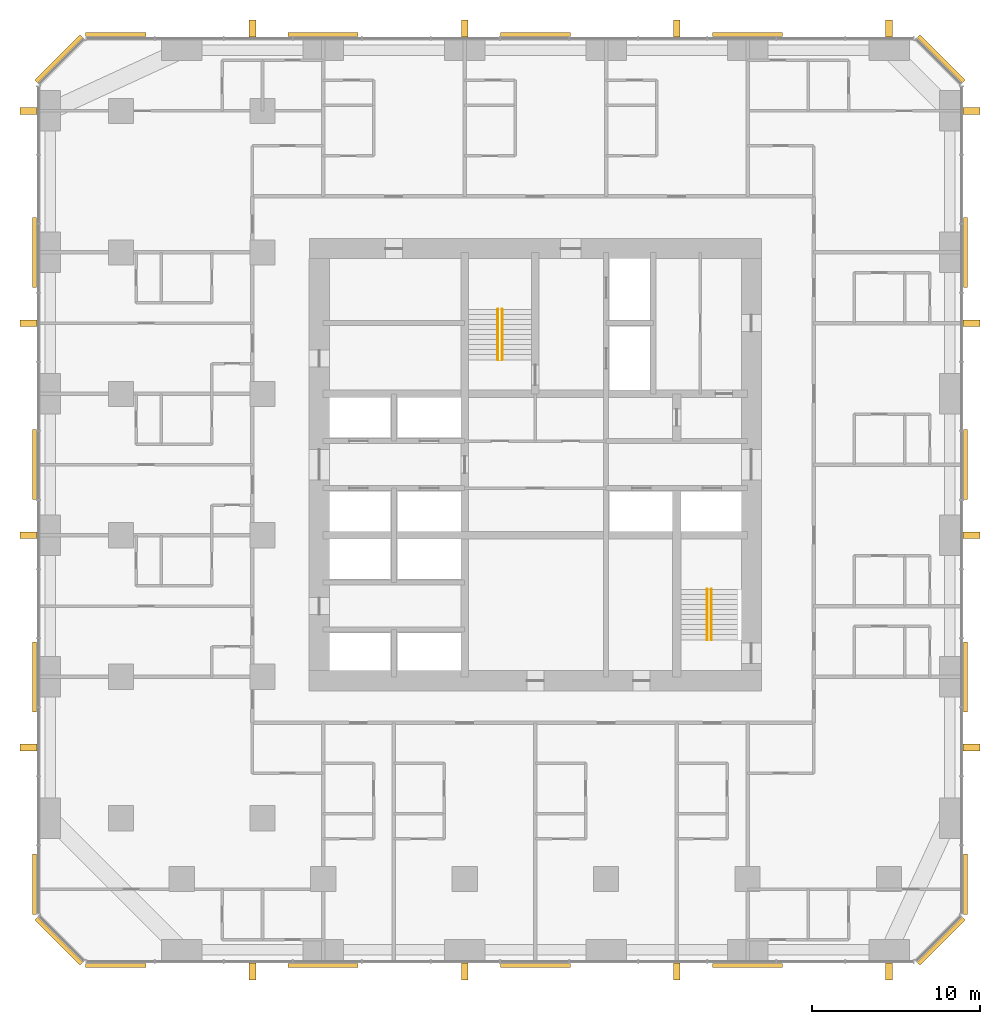
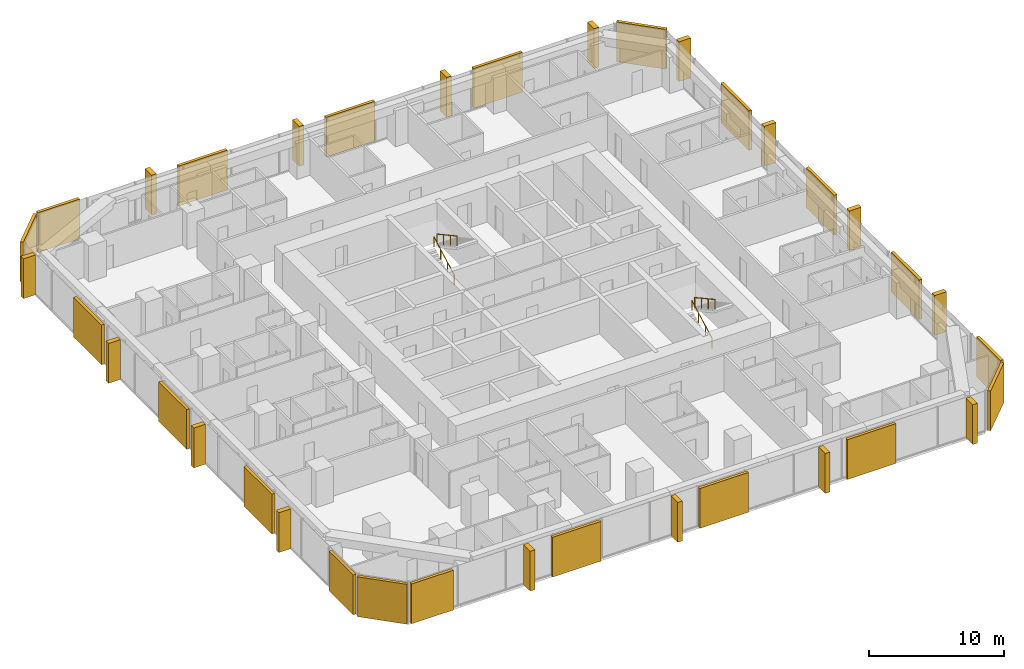
# One storey, part 14 of 14: 20 coverings, 16 shading devices, 4 railings.
"""IFC4 building model written with IfcOpenShell, lengths in metres."""

from ifc_helpers import new_model, si_unit, direction, frame, origin, origin_2d, place, context, subcontext, project, spatial, rectangle, circle, extrude, material, layer, layer_set, type_object, element, save


model = new_model("IFC4")

# Units and contexts
model_context = context("Model", 3, precision=1e-05, world=origin(), true_north=direction((0.0, 1.0)))
body_context = subcontext(model_context, "Body", "Model", "MODEL_VIEW")
ifc_project = project(units=[si_unit("LENGTHUNIT", "METRE"), si_unit("AREAUNIT", "SQUARE_METRE"), si_unit("VOLUMEUNIT", "CUBIC_METRE"), si_unit("PLANEANGLEUNIT", "RADIAN"), si_unit("MASSUNIT", "GRAM", prefix="KILO")], contexts=[model_context])

# Site, building, storey
site_placement = place(None, origin())
site = spatial("IfcSite", under=ifc_project, at=site_placement, CompositionType="ELEMENT")
building_placement = place(site_placement, origin())
building = spatial("IfcBuilding", under=site, at=building_placement, Name="Dunama Terrace Hotel", CompositionType="ELEMENT")
storey_placement = place(building_placement, frame((0.0, 0.0, 100.800048828125)))
storey = spatial("IfcBuildingStorey", under=building, at=storey_placement, Name="L25", CompositionType="ELEMENT", Elevation=100.800048828125)

# Railings
ifc_material_1 = material(Name="Stainless steel handrail", Category="steel")
railing_type = type_object("IfcRailingType", Name="Stair handrail 900", PredefinedType="HANDRAIL", material=ifc_material_1)
railing_1_placement = place(storey_placement, frame((27.175048828125, 35.625, 0.16357421875)))
element("IfcRailing", 1, at=railing_1_placement, inside=storey, type_object=railing_type, Name="Handrail ST1 L25", PredefinedType="HANDRAIL", context=body_context, shape_type="SweptSolid", body=[
    extrude(circle(Radius=0.02392578125, at=origin_2d()), frame((0.0, 0.0, 0.8759765625), z_axis=(0.0, 0.877881921179, 0.478877158013), x_axis=(-1.0, 0.0, 0.0)), (0.0, 0.0, 1.0), 3.417236328125),
    extrude(circle(Radius=0.02099609375, at=origin_2d()), origin(), (0.0, 0.0, 1.0), 0.851806640625),
    extrude(circle(Radius=0.02099609375, at=origin_2d()), frame((0.0, 1.0, 0.54541015625)), (0.0, 0.0, 1.0), 0.851806640625),
    extrude(circle(Radius=0.02099609375, at=origin_2d()), frame((0.0, 2.0, 1.091064453125)), (0.0, 0.0, 1.0), 0.851806640625),
    extrude(circle(Radius=0.02099609375, at=origin_2d()), frame((0.0, 3.0, 1.636474609375)), (0.0, 0.0, 1.0), 0.851806640625),
])
railing_2_placement = place(storey_placement, frame((27.425048828125, 38.625, 1.963623046875)))
element("IfcRailing", 2, at=railing_2_placement, inside=storey, type_object=railing_type, Name="Handrail ST1 L25", PredefinedType="HANDRAIL", context=body_context, shape_type="SweptSolid", body=[
    extrude(circle(Radius=0.02392578125, at=origin_2d()), frame((0.0, 0.0, 0.8759765625), z_axis=(0.0, -0.877911954615, 0.47882209634), x_axis=(1.0, 0.0, 0.0)), (0.0, 0.0, 1.0), 3.417236328125),
    extrude(circle(Radius=0.02099609375, at=origin_2d()), origin(), (0.0, 0.0, 1.0), 0.851806640625),
    extrude(circle(Radius=0.02099609375, at=origin_2d()), frame((0.0, -1.0, 0.54541015625)), (0.0, 0.0, 1.0), 0.851806640625),
    extrude(circle(Radius=0.02099609375, at=origin_2d()), frame((0.0, -2.0, 1.0908203125)), (0.0, 0.0, 1.0), 0.851806640625),
    extrude(circle(Radius=0.02099609375, at=origin_2d()), frame((0.0, -3.0, 1.63623046875)), (0.0, 0.0, 1.0), 0.851806640625),
])
railing_3_placement = place(storey_placement, frame((39.60009765625, 19.0, 0.16357421875)))
element("IfcRailing", 3, at=railing_3_placement, inside=storey, type_object=railing_type, Name="Handrail ST2 L25", PredefinedType="HANDRAIL", context=body_context, shape_type="SweptSolid", body=[
    extrude(circle(Radius=0.02392578125, at=origin_2d()), frame((0.0, 0.0, 0.8759765625), z_axis=(0.0, 0.877881921179, 0.478877158013), x_axis=(-1.0, 0.0, 0.0)), (0.0, 0.0, 1.0), 3.417236328125),
    extrude(circle(Radius=0.02099609375, at=origin_2d()), origin(), (0.0, 0.0, 1.0), 0.851806640625),
    extrude(circle(Radius=0.02099609375, at=origin_2d()), frame((0.0, 1.0, 0.54541015625)), (0.0, 0.0, 1.0), 0.851806640625),
    extrude(circle(Radius=0.02099609375, at=origin_2d()), frame((0.0, 2.0, 1.091064453125)), (0.0, 0.0, 1.0), 0.851806640625),
    extrude(circle(Radius=0.02099609375, at=origin_2d()), frame((0.0, 3.0, 1.636474609375)), (0.0, 0.0, 1.0), 0.851806640625),
])
railing_4_placement = place(storey_placement, frame((39.85009765625, 22.0, 1.963623046875)))
element("IfcRailing", 4, at=railing_4_placement, inside=storey, type_object=railing_type, Name="Handrail ST2 L25", PredefinedType="HANDRAIL", context=body_context, shape_type="SweptSolid", body=[
    extrude(circle(Radius=0.02392578125, at=origin_2d()), frame((0.0, 0.0, 0.8759765625), z_axis=(0.0, -0.877911954615, 0.47882209634), x_axis=(1.0, 0.0, 0.0)), (0.0, 0.0, 1.0), 3.417236328125),
    extrude(circle(Radius=0.02099609375, at=origin_2d()), origin(), (0.0, 0.0, 1.0), 0.851806640625),
    extrude(circle(Radius=0.02099609375, at=origin_2d()), frame((0.0, -1.0, 0.54541015625)), (0.0, 0.0, 1.0), 0.851806640625),
    extrude(circle(Radius=0.02099609375, at=origin_2d()), frame((0.0, -2.0, 1.0908203125)), (0.0, 0.0, 1.0), 0.851806640625),
    extrude(circle(Radius=0.02099609375, at=origin_2d()), frame((0.0, -3.0, 1.63623046875)), (0.0, 0.0, 1.0), 0.851806640625),
])

# Coverings
ifc_material_2 = material(Name="Warm reconstituted stone panel", Category="masonry")
ifc_layer_1 = layer(ifc_material_2, 0.25)
ifc_layer_set_1 = layer_set([ifc_layer_1], Name="Stone diagonal panel")
covering_type = type_object("IfcCoveringType", Name="Stone diagonal panel", PredefinedType="CLADDING", material=ifc_layer_set_1)
covering_1_placement = place(storey_placement, frame((4.489990234375, -0.343017578125, 0.001953125), z_axis=(0.0, 0.0, 1.0), x_axis=(1.0, 0.0, 0.0)))
element("IfcCovering", 5, at=covering_1_placement, inside=storey, type_object=covering_type, Name="Stone diagonal panel L25", PredefinedType="CLADDING", context=body_context, shape_type="SweptSolid", body=[
    extrude(rectangle(XDim=3.570068359375, YDim=0.25, at=origin_2d()), origin(), (0.0, 0.0, 1.0), 3.595947265625),
])
for number, where, z_axis, x_axis, name in (
    (6, (16.800048828125, -0.343017578125, 0.001953125), (0.0, 0.0, 1.0), (1.0, 0.0, 0.0), "Stone diagonal panel L25"),
    (7, (29.39990234375, -0.343017578125, 0.001953125), (0.0, 0.0, 1.0), (1.0, 0.0, 0.0), "Stone diagonal panel L25"),
    (8, (42.0, -0.343017578125, 0.001953125), (0.0, 0.0, 1.0), (1.0, 0.0, 0.0), "Stone diagonal panel L25"),
):
    element("IfcCovering", number, at=place(storey_placement, frame(where, z_axis=z_axis, x_axis=x_axis)), inside=storey, type_object=covering_type, Name=name, PredefinedType="CLADDING", context=body_context, shape_type="SweptSolid", body=[
        extrude(rectangle(XDim=4.14990234375, YDim=0.25, at=origin_2d()), origin(), (0.0, 0.0, 1.0), 3.595947265625),
    ])
covering_2_placement = place(storey_placement, frame((53.492919921875, 1.10693359375, 0.001953125), z_axis=(0.0, 0.0, 1.0), x_axis=(0.707106781187, 0.707106781187, 0.0)))
element("IfcCovering", 9, at=covering_2_placement, inside=storey, type_object=covering_type, Name="Stone diagonal panel L25", PredefinedType="CLADDING", context=body_context, shape_type="SweptSolid", body=[
    extrude(rectangle(XDim=3.808349609375, YDim=0.25, at=origin_2d()), origin(), (0.0, 0.0, 1.0), 3.595947265625),
])
covering_3_placement = place(storey_placement, frame((54.943115234375, 4.489990234375, 0.001953125), z_axis=(0.0, 0.0, 1.0), x_axis=(0.0, 1.0, 0.0)))
element("IfcCovering", 10, at=covering_3_placement, inside=storey, type_object=covering_type, Name="Stone diagonal panel L25", PredefinedType="CLADDING", context=body_context, shape_type="SweptSolid", body=[
    extrude(rectangle(XDim=3.570068359375, YDim=0.25, at=origin_2d()), origin(), (0.0, 0.0, 1.0), 3.595947265625),
])
for number, where, z_axis, x_axis, name in (
    (11, (54.943115234375, 16.800048828125, 0.001953125), (0.0, 0.0, 1.0), (0.0, 1.0, 0.0), "Stone diagonal panel L25"),
    (12, (54.943115234375, 29.39990234375, 0.001953125), (0.0, 0.0, 1.0), (0.0, 1.0, 0.0), "Stone diagonal panel L25"),
    (13, (54.943115234375, 42.0, 0.001953125), (0.0, 0.0, 1.0), (0.0, 1.0, 0.0), "Stone diagonal panel L25"),
):
    element("IfcCovering", number, at=place(storey_placement, frame(where, z_axis=z_axis, x_axis=x_axis)), inside=storey, type_object=covering_type, Name=name, PredefinedType="CLADDING", context=body_context, shape_type="SweptSolid", body=[
        extrude(rectangle(XDim=4.14990234375, YDim=0.25, at=origin_2d()), origin(), (0.0, 0.0, 1.0), 3.595947265625),
    ])
covering_4_placement = place(storey_placement, frame((53.492919921875, 53.492919921875, 0.001953125), z_axis=(0.0, 0.0, 1.0), x_axis=(-0.707106781187, 0.707106781187, 0.0)))
element("IfcCovering", 14, at=covering_4_placement, inside=storey, type_object=covering_type, Name="Stone diagonal panel L25", PredefinedType="CLADDING", context=body_context, shape_type="SweptSolid", body=[
    extrude(rectangle(XDim=3.808349609375, YDim=0.25, at=origin_2d()), origin(), (0.0, 0.0, 1.0), 3.595947265625),
])
for number, where, z_axis, x_axis, name in (
    (15, (42.0, 54.943115234375, 0.001953125), (0.0, 0.0, 1.0), (-1.0, 0.0, 0.0), "Stone diagonal panel L25"),
    (16, (29.39990234375, 54.943115234375, 0.001953125), (0.0, 0.0, 1.0), (-1.0, 0.0, 0.0), "Stone diagonal panel L25"),
    (17, (16.800048828125, 54.943115234375, 0.001953125), (0.0, 0.0, 1.0), (-1.0, 0.0, 0.0), "Stone diagonal panel L25"),
):
    element("IfcCovering", number, at=place(storey_placement, frame(where, z_axis=z_axis, x_axis=x_axis)), inside=storey, type_object=covering_type, Name=name, PredefinedType="CLADDING", context=body_context, shape_type="SweptSolid", body=[
        extrude(rectangle(XDim=4.14990234375, YDim=0.25, at=origin_2d()), origin(), (0.0, 0.0, 1.0), 3.595947265625),
    ])
covering_5_placement = place(storey_placement, frame((4.489990234375, 54.943115234375, 0.001953125), z_axis=(0.0, 0.0, 1.0), x_axis=(-1.0, 0.0, 0.0)))
element("IfcCovering", 18, at=covering_5_placement, inside=storey, type_object=covering_type, Name="Stone diagonal panel L25", PredefinedType="CLADDING", context=body_context, shape_type="SweptSolid", body=[
    extrude(rectangle(XDim=3.570068359375, YDim=0.25, at=origin_2d()), origin(), (0.0, 0.0, 1.0), 3.595947265625),
])
covering_6_placement = place(storey_placement, frame((1.10693359375, 53.492919921875, 0.001953125), z_axis=(0.0, 0.0, 1.0), x_axis=(-0.707106781187, -0.707106781187, 0.0)))
element("IfcCovering", 19, at=covering_6_placement, inside=storey, type_object=covering_type, Name="Stone diagonal panel L25", PredefinedType="CLADDING", context=body_context, shape_type="SweptSolid", body=[
    extrude(rectangle(XDim=3.808349609375, YDim=0.25, at=origin_2d()), origin(), (0.0, 0.0, 1.0), 3.595947265625),
])
for number, where, z_axis, x_axis, name in (
    (20, (-0.343017578125, 42.0, 0.001953125), (0.0, 0.0, 1.0), (0.0, -1.0, 0.0), "Stone diagonal panel L25"),
    (21, (-0.343017578125, 29.39990234375, 0.001953125), (0.0, 0.0, 1.0), (0.0, -1.0, 0.0), "Stone diagonal panel L25"),
    (22, (-0.343017578125, 16.800048828125, 0.001953125), (0.0, 0.0, 1.0), (0.0, -1.0, 0.0), "Stone diagonal panel L25"),
):
    element("IfcCovering", number, at=place(storey_placement, frame(where, z_axis=z_axis, x_axis=x_axis)), inside=storey, type_object=covering_type, Name=name, PredefinedType="CLADDING", context=body_context, shape_type="SweptSolid", body=[
        extrude(rectangle(XDim=4.14990234375, YDim=0.25, at=origin_2d()), origin(), (0.0, 0.0, 1.0), 3.595947265625),
    ])
covering_7_placement = place(storey_placement, frame((-0.343017578125, 4.489990234375, 0.001953125), z_axis=(0.0, 0.0, 1.0), x_axis=(0.0, -1.0, 0.0)))
element("IfcCovering", 23, at=covering_7_placement, inside=storey, type_object=covering_type, Name="Stone diagonal panel L25", PredefinedType="CLADDING", context=body_context, shape_type="SweptSolid", body=[
    extrude(rectangle(XDim=3.570068359375, YDim=0.25, at=origin_2d()), origin(), (0.0, 0.0, 1.0), 3.595947265625),
])
covering_8_placement = place(storey_placement, frame((1.10693359375, 1.10693359375, 0.001953125), z_axis=(0.0, 0.0, 1.0), x_axis=(0.707106781187, -0.707106781187, 0.0)))
element("IfcCovering", 24, at=covering_8_placement, inside=storey, type_object=covering_type, Name="Stone diagonal panel L25", PredefinedType="CLADDING", context=body_context, shape_type="SweptSolid", body=[
    extrude(rectangle(XDim=3.808349609375, YDim=0.25, at=origin_2d()), origin(), (0.0, 0.0, 1.0), 3.595947265625),
])

# Shading devices
ifc_material_3 = material(Name="Warm reconstituted stone fin", Category="masonry")
ifc_layer_2 = layer(ifc_material_3, 0.39990234375)
ifc_layer_set_2 = layer_set([ifc_layer_2], Name="Warm stone fin 400x1000")
shading_device_type = type_object("IfcShadingDeviceType", Name="Warm stone fin 400x1000", PredefinedType="USERDEFINED", material=ifc_layer_set_2)
for number, where, z_axis, x_axis, name in (
    (25, (12.60009765625, -0.697998046875, 0.0), (0.0, 0.0, 1.0), (1.0, 0.0, 0.0), "Stone fin"),
    (26, (25.199951171875, -0.697998046875, 0.0), (0.0, 0.0, 1.0), (1.0, 0.0, 0.0), "Stone fin"),
    (27, (37.800048828125, -0.697998046875, 0.0), (0.0, 0.0, 1.0), (1.0, 0.0, 0.0), "Stone fin"),
    (28, (50.39990234375, -0.697998046875, 0.0), (0.0, 0.0, 1.0), (1.0, 0.0, 0.0), "Stone fin"),
    (29, (55.298095703125, 12.60009765625, 0.0), (0.0, 0.0, 1.0), (0.0, 1.0, 0.0), "Stone fin"),
    (30, (55.298095703125, 25.199951171875, 0.0), (0.0, 0.0, 1.0), (0.0, 1.0, 0.0), "Stone fin"),
    (31, (55.298095703125, 37.800048828125, 0.0), (0.0, 0.0, 1.0), (0.0, 1.0, 0.0), "Stone fin"),
    (32, (55.298095703125, 50.39990234375, 0.0), (0.0, 0.0, 1.0), (0.0, 1.0, 0.0), "Stone fin"),
    (33, (50.39990234375, 55.298095703125, 0.0), (0.0, 0.0, 1.0), (-1.0, 0.0, 0.0), "Stone fin"),
    (34, (37.800048828125, 55.298095703125, 0.0), (0.0, 0.0, 1.0), (-1.0, 0.0, 0.0), "Stone fin"),
    (35, (25.199951171875, 55.298095703125, 0.0), (0.0, 0.0, 1.0), (-1.0, 0.0, 0.0), "Stone fin"),
    (36, (12.60009765625, 55.298095703125, 0.0), (0.0, 0.0, 1.0), (-1.0, 0.0, 0.0), "Stone fin"),
    (37, (-0.697998046875, 50.39990234375, 0.0), (0.0, 0.0, 1.0), (0.0, -1.0, 0.0), "Stone fin"),
    (38, (-0.697998046875, 37.800048828125, 0.0), (0.0, 0.0, 1.0), (0.0, -1.0, 0.0), "Stone fin"),
    (39, (-0.697998046875, 25.199951171875, 0.0), (0.0, 0.0, 1.0), (0.0, -1.0, 0.0), "Stone fin"),
    (40, (-0.697998046875, 12.60009765625, 0.0), (0.0, 0.0, 1.0), (0.0, -1.0, 0.0), "Stone fin"),
):
    element("IfcShadingDevice", number, at=place(storey_placement, frame(where, z_axis=z_axis, x_axis=x_axis)), inside=storey, type_object=shading_device_type, Name=name, ObjectType="FIN", PredefinedType="USERDEFINED", context=body_context, shape_type="SweptSolid", body=[
        extrude(rectangle(XDim=0.39990234375, YDim=1.0, at=origin_2d()), origin(), (0.0, 0.0, 1.0), 3.60009765625),
    ])

save(model, "model.ifc")
